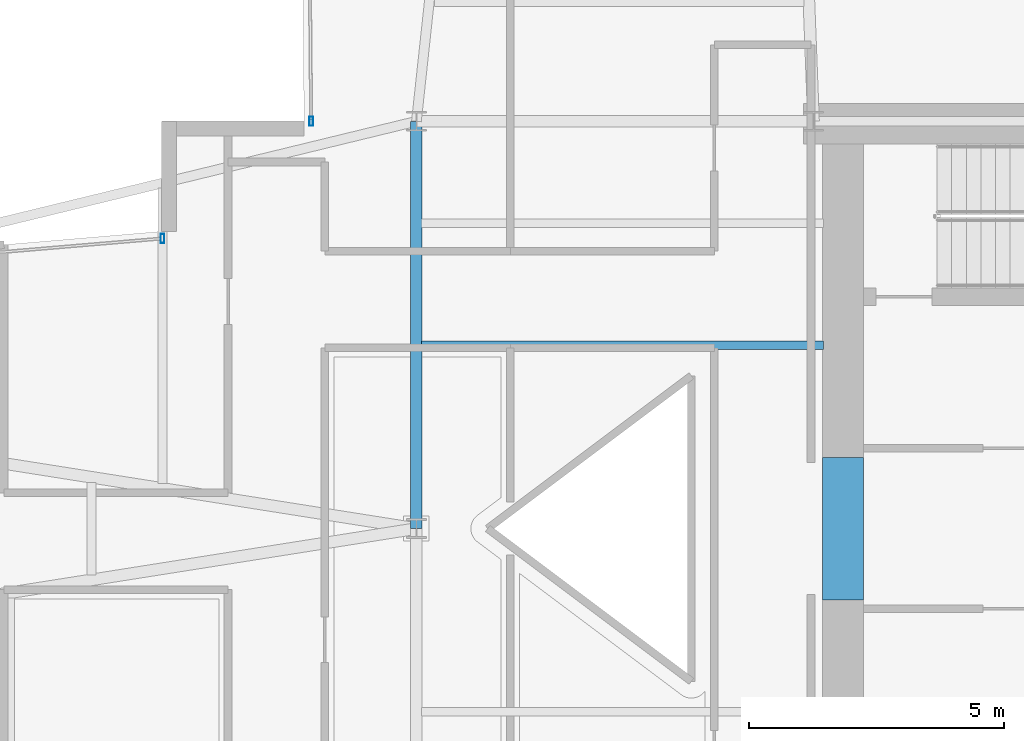
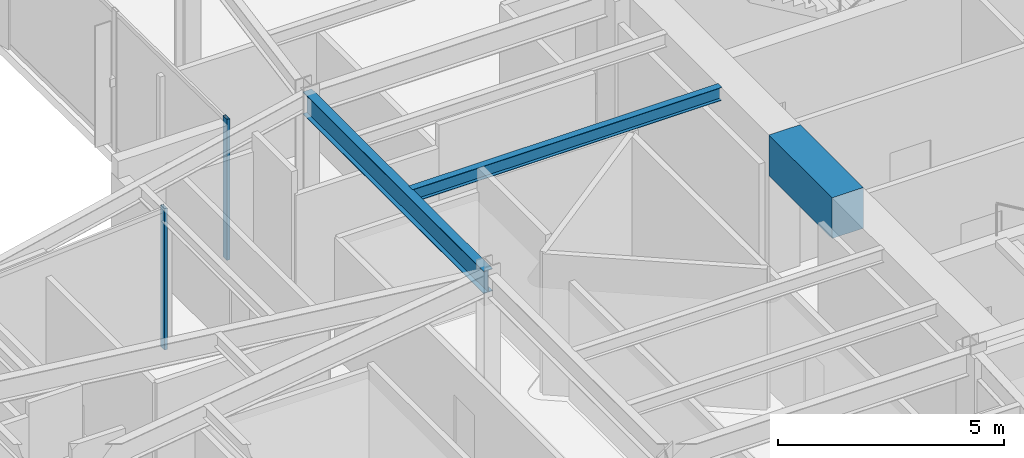
# One storey, part 10 of 25: 3 beams, 2 members, 2 elements without a shape of their own.
"""IFC4 building model written with IfcOpenShell, lengths in metres."""

from ifc_helpers import new_model, si_unit, direction, frame, origin, origin_2d, place, context, subcontext, project, spatial, rectangle, hollow_rectangle, i_section, extrude, material, layer, layer_set, material_profile, profile_set, type_object, element, aggregate, save


model = new_model("IFC4")

# Units and contexts
model_context = context("Model", 3, precision=1e-05, world=origin(), true_north=direction((0.0, 1.0)))
body_context = subcontext(model_context, "Body", "Model", "MODEL_VIEW")
ifc_project = project(units=[si_unit("LENGTHUNIT", "METRE"), si_unit("AREAUNIT", "SQUARE_METRE"), si_unit("VOLUMEUNIT", "CUBIC_METRE"), si_unit("PLANEANGLEUNIT", "RADIAN"), si_unit("MASSUNIT", "GRAM", prefix="KILO")], contexts=[model_context])

# Site, building, storey
site_placement = place(None, origin())
site = spatial("IfcSite", under=ifc_project, at=site_placement, CompositionType="ELEMENT")
building_placement = place(site_placement, origin())
building = spatial("IfcBuilding", under=site, at=building_placement, Name="Veymaron Broadcast Tower", CompositionType="ELEMENT")
storey_placement = place(building_placement, frame((0.0, 0.0, 145.199951171875)))
storey = spatial("IfcBuildingStorey", under=building, at=storey_placement, Name="L33", CompositionType="ELEMENT", Elevation=145.199951171875)

# Beams
ifc_material_1 = material(Name="Concrete C70/85", Category="concrete")
ifc_material_profile_1 = material_profile(ifc_material_1, rectangle(XDim=0.800048828125, YDim=1.10009765625, at=origin_2d()), Name="RC800X1100")
ifc_profile_set_1 = profile_set([ifc_material_profile_1], Name="Concrete C70/85")
beam_type_1 = type_object("IfcBeamType", Name="BM-CB1", PredefinedType="LINTEL", material=ifc_profile_set_1)
beam_1_placement = place(storey_placement, frame((39.580078125, 22.60009765625, 3.260009765625), z_axis=(0.0, 1.0, 0.0), x_axis=(-1.0, 0.0, 0.0)))
element("IfcBeam", 1, at=beam_1_placement, inside=storey, type_object=beam_type_1, Name="L33 Core Wall west coupling beam", PredefinedType="LINTEL", context=body_context, shape_type="SweptSolid", body=[
    extrude(rectangle(XDim=0.800048828125, YDim=1.10009765625, at=origin_2d()), origin(), (0.0, 0.0, 1.0), 2.7998046875),
])
ifc_material_2 = material(Name="Structural steel ASTM A992 Gr 50", Category="steel")
ifc_material_profile_2 = material_profile(ifc_material_2, i_section(OverallWidth=0.22802734375, OverallDepth=0.60791015625, WebThickness=0.01123046875, FlangeThickness=0.017333984375, at=origin_2d()), Name="W610X113")
ifc_profile_set_2 = profile_set([ifc_material_profile_2], Name="Structural steel ASTM A992 Gr 50")
beam_type_2 = type_object("IfcBeamType", Name="BM-FG2", PredefinedType="BEAM", material=ifc_profile_set_2)
beam_2_placement = place(storey_placement, frame((31.199951171875, 24.0, 3.506103515625), z_axis=(0.0, 1.0, 0.0), x_axis=(-1.0, 0.0, 0.0)))
element("IfcBeam", 2, at=beam_2_placement, inside=storey, type_object=beam_type_2, Name="L33 primary structural floor girder", PredefinedType="BEAM", context=body_context, shape_type="SweptSolid", body=[
    extrude(i_section(OverallWidth=0.22802734375, OverallDepth=0.60791015625, WebThickness=0.01123046875, FlangeThickness=0.017333984375, at=origin_2d()), origin(), (0.0, 0.0, 1.0), 8.0),
])
ifc_material_profile_3 = material_profile(ifc_material_2, i_section(OverallWidth=0.1708984375, OverallDepth=0.35498046875, WebThickness=0.007080078125, FlangeThickness=0.01171875, at=origin_2d()), Name="W360X51")
ifc_profile_set_3 = profile_set([ifc_material_profile_3], Name="Structural steel ASTM A992 Gr 50")
beam_type_3 = type_object("IfcBeamType", Name="BM-JS2", PredefinedType="JOIST", material=ifc_profile_set_3)
beam_3_placement = place(storey_placement, frame((31.300048828125, 27.60009765625, 3.632568359375), z_axis=(1.0, 0.0, 0.0), x_axis=(0.0, 1.0, 0.0)))
element("IfcBeam", 3, at=beam_3_placement, inside=storey, type_object=beam_type_3, Name="L33 Hub secondary joist 3", PredefinedType="JOIST", context=body_context, shape_type="SweptSolid", body=[
    extrude(i_section(OverallWidth=0.1708984375, OverallDepth=0.35498046875, WebThickness=0.007080078125, FlangeThickness=0.01171875, at=origin_2d()), origin(), (0.0, 0.0, 1.0), 7.89990234375),
])

# Curtain wall, member
ifc_material_3 = material(Name="Anodised aluminium AA 6063-T6 and laminated low-E dark glass", Category="aluminium")
ifc_layer = layer(ifc_material_3, 0.179931640625)
ifc_layer_set = layer_set([ifc_layer], Name="Anodised aluminium AA 6063-T6 and laminated low-E dark glass")
curtain_wall_type = type_object("IfcCurtainWallType", Name="CW-SYS-03", PredefinedType="NOTDEFINED", material=ifc_layer_set)
curtain_wall_1_placement = place(storey_placement, origin())
curtain_wall_1 = element("IfcCurtainWall", 4, at=curtain_wall_1_placement, inside=storey, type_object=curtain_wall_type, Name="L33 dark-glass curtain wall CW-L33-E8-1", PredefinedType="NOTDEFINED")
ifc_material_4 = material(Name="Anodised aluminium AA 6063-T6", Category="aluminium")
ifc_material_profile_4 = material_profile(ifc_material_4, hollow_rectangle(XDim=0.074951171875, YDim=0.179931640625, WallThickness=0.0048828125, at=origin_2d()), Name="AL180X75X5")
ifc_profile_set_4 = profile_set([ifc_material_profile_4], Name="Anodised aluminium AA 6063-T6")
member_type = type_object("IfcMemberType", Name="CW-MUL-02", PredefinedType="MULLION", material=ifc_profile_set_4)
member_1_placement = place(storey_placement, frame((29.132568359375, 32.001220703125, 0.0), z_axis=(0.0, 0.0, 1.0), x_axis=(1.0, 0.0, 0.0)))
member_1 = element("IfcMember", 5, at=member_1_placement, type_object=member_type, Name="CW-L33-E8-1 mullion 2", PredefinedType="MULLION", context=body_context, shape_type="SweptSolid", body=[
    extrude(hollow_rectangle(XDim=0.074951171875, YDim=0.179931640625, WallThickness=0.0048828125, at=origin_2d()), origin(), (0.0, 0.0, 1.0), 3.81005859375),
])
aggregate(curtain_wall_1, [member_1])

curtain_wall_2_placement = place(storey_placement, origin())
curtain_wall_2 = element("IfcCurtainWall", 6, at=curtain_wall_2_placement, inside=storey, type_object=curtain_wall_type, Name="L33 dark-glass curtain wall CW-L33-E11-1", PredefinedType="NOTDEFINED")
member_2_placement = place(storey_placement, frame((26.2119140625, 29.698486328125, 0.0), z_axis=(0.0, 0.0, 1.0), x_axis=(1.0, 0.0, 0.0)))
member_2 = element("IfcMember", 7, at=member_2_placement, type_object=member_type, Name="CW-L33-E11-1 mullion 0", PredefinedType="MULLION", context=body_context, shape_type="SweptSolid", body=[
    extrude(hollow_rectangle(XDim=0.074951171875, YDim=0.179931640625, WallThickness=0.0048828125, at=origin_2d()), origin(), (0.0, 0.0, 1.0), 3.81005859375),
])
aggregate(curtain_wall_2, [member_2])

save(model, "model.ifc")
